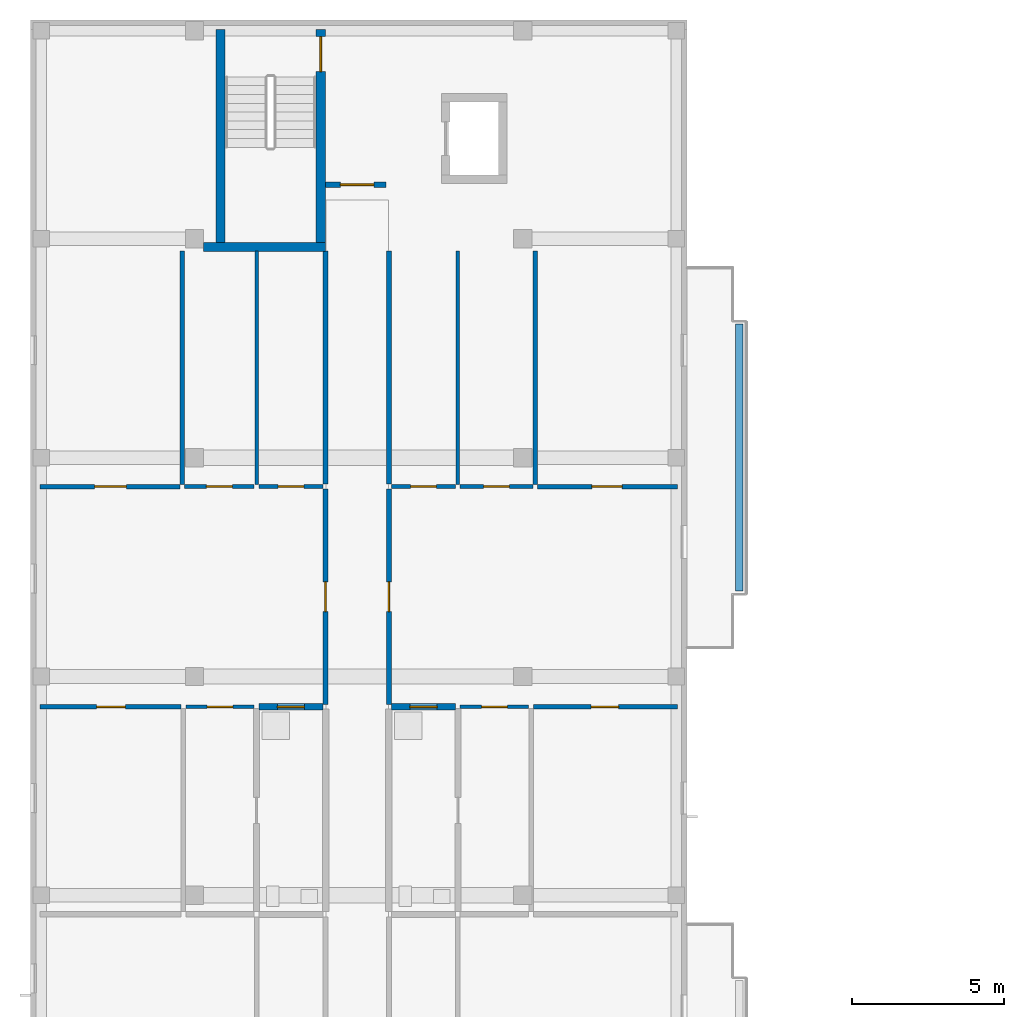
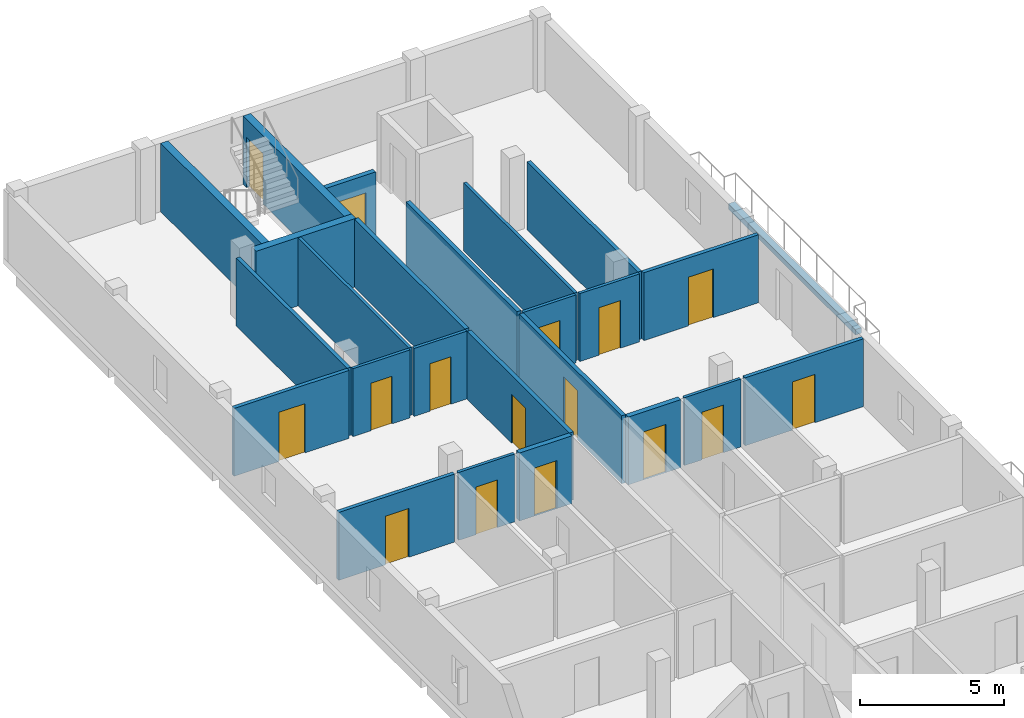
# One storey, part 18 of 41: 25 walls, 16 doors, 16 openings.
"""IFC4 building model written with IfcOpenShell, lengths in metres."""

import ifcopenshell
import ifcopenshell.guid

model = None  # the IFC model being written
_history = None  # IfcOwnerHistory: only IFC2X3 demands one
_inside = {}  # id of a spatial element -> (the spatial element, [elements in it])
_under = {}  # id of a project, library or spatial element -> (it, [spatial elements below it])
_declared = {}  # id of a project -> (the project, [libraries it declares])
_typed = {}  # id of a type object -> (the type object, [elements of that type])
_made_of = {}  # id of a material, layer set ... -> (it, [elements and type objects made of it])


def new_model(schema):
    """Start an empty IFC model of exactly this schema.

    Asked for "IFC4X3", IfcOpenShell would pick the latest addendum, in which some entities
    have other attributes; the version numbers below select the first issue.
    IFC2X3 requires an IfcOwnerHistory on every rooted entity: one is made here for all.
    """
    global model, _history
    if schema == "IFC4X3":
        model = ifcopenshell.file(schema_version=(4, 3, 0, 0))
    else:
        model = ifcopenshell.file(schema=schema)
    _inside.clear()
    _under.clear()
    _declared.clear()
    _typed.clear()
    _made_of.clear()
    _history = None
    if model.schema == "IFC2X3":
        org = make("IfcOrganization", Name="unknown")
        user = make(
            "IfcPersonAndOrganization",
            ThePerson=make("IfcPerson", FamilyName="unknown"),
            TheOrganization=org,
        )
        app = make(
            "IfcApplication",
            ApplicationDeveloper=org,
            Version="unknown",
            ApplicationFullName="unknown",
            ApplicationIdentifier="unknown",
        )
        _history = make(
            "IfcOwnerHistory",
            OwningUser=user,
            OwningApplication=app,
            ChangeAction="ADDED",
            CreationDate=0,
        )
    return model


def make(cls, **values):
    """One entity of the class cls with the attributes given. An attribute that is None is left unset."""
    return model.create_entity(
        cls, **{name: value for name, value in values.items() if value is not None}
    )


def rooted(cls, **values):
    """An entity with a GlobalId (a new one), such as an element, a storey or a relation."""
    return make(cls, GlobalId=ifcopenshell.guid.new(), OwnerHistory=_history, **values)


def si_unit(unit_type, name, prefix=None):
    """IfcSIUnit, for example si_unit("LENGTHUNIT", "METRE", prefix="MILLI")."""
    return make("IfcSIUnit", UnitType=unit_type, Prefix=prefix, Name=name)


def derived_unit(unit_type, elements):
    """IfcDerivedUnit: a product of units, each with its exponent."""
    return make(
        "IfcDerivedUnit",
        Elements=[
            make("IfcDerivedUnitElement", Unit=unit, Exponent=power)
            for unit, power in elements
        ],
        UnitType=unit_type,
    )


def assignment(units):
    """IfcUnitAssignment: the units of a project."""
    return None if units is None else make("IfcUnitAssignment", Units=units)


def point(xyz):
    """IfcCartesianPoint."""
    return None if xyz is None else make("IfcCartesianPoint", Coordinates=xyz)


def direction(xyz):
    """IfcDirection."""
    return None if xyz is None else make("IfcDirection", DirectionRatios=xyz)


def frame(location, z_axis=None, x_axis=None):
    """IfcAxis2Placement3D, a coordinate frame: its origin and axes. An axis left out is left unset."""
    return make(
        "IfcAxis2Placement3D",
        Location=point(location),
        Axis=direction(z_axis),
        RefDirection=direction(x_axis),
    )


def frame_2d(location, x_axis=None):
    """IfcAxis2Placement2D, a coordinate frame in the plane: its origin and x axis."""
    return make(
        "IfcAxis2Placement2D", Location=point(location), RefDirection=direction(x_axis)
    )


def origin():
    """The frame at (0, 0, 0) with its axes left unset."""
    return frame((0.0, 0.0, 0.0))


def place(relative_to, where):
    """IfcLocalPlacement: puts the frame where relative to a parent placement (None: the world)."""
    return make(
        "IfcLocalPlacement", PlacementRelTo=relative_to, RelativePlacement=where
    )


def context(
    kind, dimensions, precision=None, world=None, true_north=None, identifier=None
):
    """IfcGeometricRepresentationContext, for example the 3D "Model" context."""
    return make(
        "IfcGeometricRepresentationContext",
        ContextIdentifier=identifier,
        ContextType=kind,
        CoordinateSpaceDimension=dimensions,
        Precision=precision,
        WorldCoordinateSystem=world,
        TrueNorth=true_north,
    )


def subcontext(parent, identifier, kind, view, scale=None):
    """IfcGeometricRepresentationSubContext, for example "Body" below "Model"."""
    return make(
        "IfcGeometricRepresentationSubContext",
        ContextIdentifier=identifier,
        ContextType=kind,
        ParentContext=parent,
        TargetScale=scale,
        TargetView=view,
    )


def project(units=None, contexts=None):
    """IfcProject with its units and contexts."""
    return rooted(
        "IfcProject",
        Name="project",
        RepresentationContexts=contexts,
        UnitsInContext=assignment(units),
    )


def spatial(cls, under=None, at=None, **own):
    """A site, building, storey or space (cls), placed at a placement, below another one or the project."""
    s = rooted(cls, ObjectPlacement=at, **own)
    if under is not None:
        _under.setdefault(under.id(), (under, []))[1].append(s)
    return s


def profile(cls, at=None, kind="AREA", **sizes):
    """A parametric profile (cls). Its sizes go by their IFC names, for example OverallWidth=200.0."""
    return make(cls, ProfileType=kind, Position=at, **sizes)


def rectangle(**sizes):
    """IfcRectangleProfileDef."""
    return profile("IfcRectangleProfileDef", **sizes)


def extrude(swept, where, along, depth):
    """IfcExtrudedAreaSolid: the profile swept, set in the frame where, extruded along a direction by depth."""
    return make(
        "IfcExtrudedAreaSolid",
        SweptArea=swept,
        Position=where,
        ExtrudedDirection=direction(along),
        Depth=depth,
    )


def shape(context_of_items, identifier, shape_type, items):
    """IfcShapeRepresentation: the items that make up one representation, for example the "Body"."""
    return make(
        "IfcShapeRepresentation",
        ContextOfItems=context_of_items,
        RepresentationIdentifier=identifier,
        RepresentationType=shape_type,
        Items=items,
    )


def material(Name=None, Category=None):
    """IfcMaterial."""
    return make("IfcMaterial", Name=Name, Category=Category)


def layer(
    of_material, thickness, ventilated=None, Name=None, Category=None, Priority=None
):
    """IfcMaterialLayer: one layer of a wall or slab, of a material (None: an air gap)."""
    return make(
        "IfcMaterialLayer",
        Material=of_material,
        LayerThickness=thickness,
        IsVentilated=ventilated,
        Name=Name,
        Category=Category,
        Priority=Priority,
    )


def layer_set(layers, Name=None):
    """IfcMaterialLayerSet."""
    return make("IfcMaterialLayerSet", MaterialLayers=layers, LayerSetName=Name)


def made_of(thing, what):
    """Note that an element or type object is made of a material, layer set ...; save() writes the relation."""
    if what is not None:
        _made_of.setdefault(what.id(), (what, []))[1].append(thing)
    return thing


def type_object(cls, material=None, **own):
    """A type object (cls), such as IfcWallType, which elements share."""
    return made_of(rooted(cls, **own), material)


def element(
    cls,
    number,
    at=None,
    inside=None,
    cuts=None,
    type_object=None,
    material=None,
    context=None,
    identifier="Body",
    shape_type=None,
    held_by="IfcProductDefinitionShape",
    body=None,
    shapes=None,
    **own,
):
    """One element of the class cls, such as IfcWall. Its Tag is "e" and its number.

    at: its placement. inside: the storey or other place that contains it. cuts: it is an
    opening in that element (IfcRelVoidsElement). A single representation is given by context,
    identifier, shape_type and body (its items); several are given by shapes. held_by: the class
    of the entity that holds the representations. save() writes the other relations.
    """
    e = rooted(cls, Tag="e%d" % number, ObjectPlacement=at, **own)
    if body is not None:
        shapes = [shape(context, identifier, shape_type, body)]
    if shapes is not None:
        e.Representation = make(held_by, Representations=shapes)
    if inside is not None:
        _inside.setdefault(inside.id(), (inside, []))[1].append(e)
    if cuts is not None:
        rooted(
            "IfcRelVoidsElement", RelatingBuildingElement=cuts, RelatedOpeningElement=e
        )
    if type_object is not None:
        _typed.setdefault(type_object.id(), (type_object, []))[1].append(e)
    return made_of(e, material)


def fill(opening, filler):
    """IfcRelFillsElement: the door or window that sits in an opening."""
    return rooted(
        "IfcRelFillsElement",
        RelatingOpeningElement=opening,
        RelatedBuildingElement=filler,
    )


def aggregate(whole, parts):
    """IfcRelAggregates: a whole, such as a stair, and the parts it consists of."""
    return rooted("IfcRelAggregates", RelatingObject=whole, RelatedObjects=parts)


def save(model, path):
    """Write the relations noted so far, then the file.

    IfcRelAggregates (storeys below a building ...), IfcRelContainedInSpatialStructure (elements
    in a storey), IfcRelDefinesByType, IfcRelAssociatesMaterial and IfcRelDeclares: one each for
    every whole, place, type object, material and project.
    """
    for whole, parts in _under.values():
        aggregate(whole, parts)
    for where, things in _inside.values():
        rooted(
            "IfcRelContainedInSpatialStructure",
            RelatedElements=things,
            RelatingStructure=where,
        )
    for kind, things in _typed.values():
        rooted("IfcRelDefinesByType", RelatedObjects=things, RelatingType=kind)
    for what, things in _made_of.values():
        rooted("IfcRelAssociatesMaterial", RelatedObjects=things, RelatingMaterial=what)
    for by, libraries in _declared.values():
        rooted("IfcRelDeclares", RelatingContext=by, RelatedDefinitions=libraries)
    model.write(path)


model = new_model("IFC4")

# Units and contexts
model_context = context("Model", 3, precision=1e-05, world=origin(), true_north=direction((0.0, 1.0)))
body_context = subcontext(model_context, "Body", "Model", "MODEL_VIEW")
ifc_project = project(units=[si_unit("LENGTHUNIT", "METRE"), si_unit("AREAUNIT", "SQUARE_METRE"), si_unit("VOLUMEUNIT", "CUBIC_METRE"), si_unit("PLANEANGLEUNIT", "RADIAN"), si_unit("MASSUNIT", "GRAM", prefix="KILO"), derived_unit("THERMALTRANSMITTANCEUNIT", [(si_unit("MASSUNIT", "GRAM", prefix="KILO"), 1), (si_unit("TIMEUNIT", "SECOND"), -3), (si_unit("THERMODYNAMICTEMPERATUREUNIT", "KELVIN"), -1)])], contexts=[model_context])

# Site, building, storey
site_placement = place(None, origin())
site = spatial("IfcSite", under=ifc_project, at=site_placement, CompositionType="ELEMENT")
building_placement = place(site_placement, origin())
building = spatial("IfcBuilding", under=site, at=building_placement, Name="Ochrekiln Boulevard Commons", CompositionType="ELEMENT")
storey_placement = place(building_placement, frame((0.0, 0.0, 21.52490234375)))
storey = spatial("IfcBuildingStorey", under=building, at=storey_placement, Name="L06", CompositionType="ELEMENT", Elevation=21.52490234375)

# Wall, opening, door
ifc_material_1 = material(Name="Moisture-resistant cementitious tile backer wall")
ifc_layer_1 = layer(ifc_material_1, 0.199951171875)
ifc_layer_set_1 = layer_set([ifc_layer_1], Name="Moisture-resistant cementitious tile backer wall")
wall_type_1 = type_object("IfcWallType", Name="WL-PLM-200", PredefinedType="PLUMBINGWALL", material=ifc_layer_set_1)
wall_1_placement = place(storey_placement, frame((7.52001953125, 96.2041015625, 0.0), z_axis=(0.0, 0.0, 1.0), x_axis=(1.0, 0.0, 0.0)))
wall_1 = element("IfcWall", 1, at=wall_1_placement, inside=storey, type_object=wall_type_1, Name="L06 Interior Wall W-PW200", PredefinedType="PLUMBINGWALL", context=body_context, shape_type="SweptSolid", body=[
    extrude(rectangle(XDim=2.10791015625, YDim=0.199951171875, at=frame_2d((1.053955078125, 0.0))), origin(), (0.0, 0.0, 1.0), 2.8701171875),
])
opening_1_placement = place(wall_1_placement, frame((0.60498046875, 0.0, 0.0)))
opening_1 = element("IfcOpeningElement", 2, at=opening_1_placement, cuts=wall_1, Name="Opening D-L06-793", PredefinedType="OPENING", context=body_context, shape_type="SweptSolid", body=[
    extrude(rectangle(XDim=0.889892578125, YDim=2.030029296875, at=frame_2d((0.44482421875, 1.01513671875))), frame((0.0, 0.10986328125, 0.0), z_axis=(0.0, -1.0, 0.0), x_axis=(1.0, 0.0, 0.0)), (0.0, 0.0, 1.0), 0.219970703125),
])
ifc_material_2 = material(Name="Solid core architectural oak door leaf")
door_type_1 = type_object("IfcDoorType", Name="DR-INT-BTH-089", OperationType="NOTDEFINED", PredefinedType="DOOR", material=ifc_material_2)
door_1_placement = place(opening_1_placement, frame((0.889892578125, 0.0, 0.0), z_axis=(0.0, 0.0, 1.0), x_axis=(-1.0, 0.0, 0.0)))
door_1 = element("IfcDoor", 3, at=door_1_placement, inside=storey, type_object=door_type_1, Name="L06 Interior Door to Apartment Bathroom", OperationType="SINGLE_SWING_LEFT", OverallHeight=2.030029296875, OverallWidth=0.889892578125, PredefinedType="DOOR", context=body_context, shape_type="SweptSolid", body=[
    extrude(rectangle(XDim=0.889892578125, YDim=2.030029296875, at=frame_2d((0.44482421875, 1.01513671875))), frame((0.0, 0.02490234375, 0.0), z_axis=(0.0, -1.0, 0.0), x_axis=(1.0, 0.0, 0.0)), (0.0, 0.0, 1.0), 0.050048828125),
])
fill(opening_1, door_1)

wall_2_placement = place(storey_placement, frame((11.8720703125, 96.2041015625, 0.0), z_axis=(0.0, 0.0, 1.0), x_axis=(1.0, 0.0, 0.0)))
wall_2 = element("IfcWall", 4, at=wall_2_placement, inside=storey, type_object=wall_type_1, Name="L06 Interior Wall W-PW200", PredefinedType="PLUMBINGWALL", context=body_context, shape_type="SweptSolid", body=[
    extrude(rectangle(XDim=2.10791015625, YDim=0.199951171875, at=frame_2d((1.053955078125, 0.0))), origin(), (0.0, 0.0, 1.0), 2.8701171875),
])
opening_2_placement = place(wall_2_placement, frame((0.613037109375, 0.0, 0.0)))
opening_2 = element("IfcOpeningElement", 5, at=opening_2_placement, cuts=wall_2, Name="Opening D-L06-804", PredefinedType="OPENING", context=body_context, shape_type="SweptSolid", body=[
    extrude(rectangle(XDim=0.889892578125, YDim=2.030029296875, at=frame_2d((0.44482421875, 1.01513671875))), frame((0.0, 0.10986328125, 0.0), z_axis=(0.0, -1.0, 0.0), x_axis=(1.0, 0.0, 0.0)), (0.0, 0.0, 1.0), 0.219970703125),
])
door_2_placement = place(opening_2_placement, frame((0.889892578125, 0.0, 0.0), z_axis=(0.0, 0.0, 1.0), x_axis=(-1.0, 0.0, 0.0)))
door_2 = element("IfcDoor", 6, at=door_2_placement, inside=storey, type_object=door_type_1, Name="L06 Interior Door to Apartment Bathroom", OperationType="SINGLE_SWING_RIGHT", OverallHeight=2.030029296875, OverallWidth=0.889892578125, PredefinedType="DOOR", context=body_context, shape_type="SweptSolid", body=[
    extrude(rectangle(XDim=0.889892578125, YDim=2.030029296875, at=frame_2d((0.44482421875, 1.01513671875))), frame((0.0, 0.02490234375, 0.0), z_axis=(0.0, -1.0, 0.0), x_axis=(1.0, 0.0, 0.0)), (0.0, 0.0, 1.0), 0.050048828125),
])
fill(opening_2, door_2)

# Wall
ifc_material_3 = material(Name="Glazed architectural terracotta ASTM C1405", Category="masonry")
ifc_layer_2 = layer(ifc_material_3, 0.25)
ifc_layer_set_2 = layer_set([ifc_layer_2], Name="Glazed architectural terracotta ASTM C1405")
wall_type_2 = type_object("IfcWallType", Name="WL-PLN-250", PredefinedType="PARAPET", material=ifc_layer_set_2)
wall_3_placement = place(storey_placement, frame((23.320068359375, 100.010009765625, 0.0), z_axis=(0.0, 0.0, 1.0), x_axis=(0.0, 1.0, 0.0)))
element("IfcWall", 7, at=wall_3_placement, inside=storey, type_object=wall_type_2, Name="Block A L06 Balcony Terracotta Planter Box 2", PredefinedType="PARAPET", context=body_context, shape_type="SweptSolid", body=[
    extrude(rectangle(XDim=8.780029296875, YDim=0.25, at=frame_2d((4.39013671875, 0.0))), origin(), (0.0, 0.0, 1.0), 0.22998046875),
])

# Wall, opening, door
ifc_material_4 = material(Name="Fire-rated Type X gypsum board on steel studs", Category="steel")
ifc_layer_3 = layer(ifc_material_4, 0.1650390625)
ifc_layer_set_3 = layer_set([ifc_layer_3], Name="Fire-rated Type X gypsum board on steel studs")
wall_type_3 = type_object("IfcWallType", Name="WL-PT-CORR-165", PredefinedType="PARTITIONING", material=ifc_layer_set_3)
wall_4_placement = place(storey_placement, frame((9.7099609375, 96.283935546875, 0.0), z_axis=(0.0, 0.0, 1.0), x_axis=(0.0, 1.0, 0.0)))
wall_4 = element("IfcWall", 8, at=wall_4_placement, inside=storey, type_object=wall_type_3, Name="L06 Interior Wall W-PC165", PredefinedType="PARTITIONING", context=body_context, shape_type="SweptSolid", body=[
    extrude(rectangle(XDim=7.086181640625, YDim=0.1650390625, at=frame_2d((3.54296875, 0.0))), origin(), (0.0, 0.0, 1.0), 2.8701171875),
])
opening_3_placement = place(wall_4_placement, frame((3.052978515625, 0.0, 0.0)))
opening_3 = element("IfcOpeningElement", 9, at=opening_3_placement, cuts=wall_4, Name="Opening D-L06-786", PredefinedType="OPENING", context=body_context, shape_type="SweptSolid", body=[
    extrude(rectangle(XDim=0.97998046875, YDim=2.080078125, at=frame_2d((0.489990234375, 1.0400390625))), frame((0.0, 0.092529296875, 0.0), z_axis=(0.0, -1.0, 0.0), x_axis=(1.0, 0.0, 0.0)), (0.0, 0.0, 1.0), 0.18505859375),
])
door_type_2 = type_object("IfcDoorType", Name="DR-APT-60", OperationType="NOTDEFINED", PredefinedType="DOOR", material=ifc_material_2)
door_3_placement = place(opening_3_placement, origin())
door_3 = element("IfcDoor", 10, at=door_3_placement, inside=storey, type_object=door_type_2, Name="L06 Interior Door to Two-Bedroom Apartment Living Room", OperationType="SINGLE_SWING_RIGHT", OverallHeight=2.080078125, OverallWidth=0.97998046875, PredefinedType="DOOR", context=body_context, shape_type="SweptSolid", body=[
    extrude(rectangle(XDim=0.97998046875, YDim=2.080078125, at=frame_2d((0.489990234375, 1.0400390625))), frame((0.0, 0.02490234375, 0.0), z_axis=(0.0, -1.0, 0.0), x_axis=(1.0, 0.0, 0.0)), (0.0, 0.0, 1.0), 0.050048828125),
])
fill(opening_3, door_3)

# Wall
wall_5_placement = place(storey_placement, frame((9.7099609375, 103.530029296875, 0.0), z_axis=(0.0, 0.0, 1.0), x_axis=(0.0, 1.0, 0.0)))
element("IfcWall", 11, at=wall_5_placement, inside=storey, type_object=wall_type_3, Name="L06 Interior Wall W-PC165", PredefinedType="PARTITIONING", context=body_context, shape_type="SweptSolid", body=[
    extrude(rectangle(XDim=7.669921875, YDim=0.1650390625, at=frame_2d((3.8349609375, 0.0))), origin(), (0.0, 0.0, 1.0), 2.8701171875),
])

# Wall, opening, door
wall_6_placement = place(storey_placement, frame((11.7900390625, 96.283935546875, 0.0), z_axis=(0.0, 0.0, 1.0), x_axis=(0.0, 1.0, 0.0)))
wall_6 = element("IfcWall", 12, at=wall_6_placement, inside=storey, type_object=wall_type_3, Name="L06 Interior Wall W-PC165", PredefinedType="PARTITIONING", context=body_context, shape_type="SweptSolid", body=[
    extrude(rectangle(XDim=7.086181640625, YDim=0.1650390625, at=frame_2d((3.54296875, 0.0))), origin(), (0.0, 0.0, 1.0), 2.8701171875),
])
opening_4_placement = place(wall_6_placement, frame((3.052978515625, 0.0, 0.0)))
opening_4 = element("IfcOpeningElement", 13, at=opening_4_placement, cuts=wall_6, Name="Opening D-L06-788", PredefinedType="OPENING", context=body_context, shape_type="SweptSolid", body=[
    extrude(rectangle(XDim=0.97998046875, YDim=2.080078125, at=frame_2d((0.489990234375, 1.0400390625))), frame((0.0, 0.092529296875, 0.0), z_axis=(0.0, -1.0, 0.0), x_axis=(1.0, 0.0, 0.0)), (0.0, 0.0, 1.0), 0.18505859375),
])
door_4_placement = place(opening_4_placement, frame((0.97998046875, 0.0, 0.0), z_axis=(0.0, 0.0, 1.0), x_axis=(-1.0, 0.0, 0.0)))
door_4 = element("IfcDoor", 14, at=door_4_placement, inside=storey, type_object=door_type_2, Name="L06 Interior Door to Two-Bedroom Apartment Living Room", OperationType="SINGLE_SWING_RIGHT", OverallHeight=2.080078125, OverallWidth=0.97998046875, PredefinedType="DOOR", context=body_context, shape_type="SweptSolid", body=[
    extrude(rectangle(XDim=0.97998046875, YDim=2.080078125, at=frame_2d((0.489990234375, 1.0400390625))), frame((0.0, 0.02490234375, 0.0), z_axis=(0.0, -1.0, 0.0), x_axis=(1.0, 0.0, 0.0)), (0.0, 0.0, 1.0), 0.050048828125),
])
fill(opening_4, door_4)

# Wall
wall_7_placement = place(storey_placement, frame((11.7900390625, 103.530029296875, 0.0), z_axis=(0.0, 0.0, 1.0), x_axis=(0.0, 1.0, 0.0)))
element("IfcWall", 15, at=wall_7_placement, inside=storey, type_object=wall_type_3, Name="L06 Interior Wall W-PC165", PredefinedType="PARTITIONING", context=body_context, shape_type="SweptSolid", body=[
    extrude(rectangle(XDim=7.669921875, YDim=0.1650390625, at=frame_2d((3.8349609375, 0.0))), origin(), (0.0, 0.0, 1.0), 2.8701171875),
])

# Wall, opening, door
ifc_layer_4 = layer(ifc_material_4, 0.18994140625)
ifc_layer_set_4 = layer_set([ifc_layer_4], Name="Fire-rated Type X gypsum board on steel studs")
wall_type_4 = type_object("IfcWallType", Name="WL-PT-LBY-190", PredefinedType="PARTITIONING", material=ifc_layer_set_4)
wall_8_placement = place(storey_placement, frame((9.699951171875, 113.3798828125, 0.0), z_axis=(0.0, 0.0, 1.0), x_axis=(1.0, 0.0, 0.0)))
wall_8 = element("IfcWall", 16, at=wall_8_placement, inside=storey, type_object=wall_type_4, Name="L06 Interior Wall W-PL190", PredefinedType="PARTITIONING", context=body_context, shape_type="SweptSolid", body=[
    extrude(rectangle(XDim=2.0, YDim=0.18994140625, at=frame_2d((1.0, 0.0))), origin(), (0.0, 0.0, 1.0), 2.8701171875),
])
opening_5_placement = place(wall_8_placement, frame((0.5, 0.0, 0.0)))
opening_5 = element("IfcOpeningElement", 17, at=opening_5_placement, cuts=wall_8, Name="Opening D-L06-783", PredefinedType="OPENING", context=body_context, shape_type="SweptSolid", body=[
    extrude(rectangle(XDim=1.10009765625, YDim=2.1201171875, at=frame_2d((0.550048828125, 1.06005859375))), frame((0.0, 0.10498046875, 0.0), z_axis=(0.0, -1.0, 0.0), x_axis=(1.0, 0.0, 0.0)), (0.0, 0.0, 1.0), 0.2099609375),
])
ifc_material_5 = material(Name="Hollow metal fire-rated steel door assembly", Category="steel")
door_type_3 = type_object("IfcDoorType", Name="DR-LOBBY-60", OperationType="NOTDEFINED", PredefinedType="DOOR", material=ifc_material_5)
door_5_placement = place(opening_5_placement, origin())
door_5 = element("IfcDoor", 18, at=door_5_placement, inside=storey, type_object=door_type_3, Name="L06 Interior Door to Fire Service Access Elevator Lobby", OperationType="SINGLE_SWING_LEFT", OverallHeight=2.1201171875, OverallWidth=1.10009765625, PredefinedType="DOOR", context=body_context, shape_type="SweptSolid", body=[
    extrude(rectangle(XDim=1.10009765625, YDim=2.1201171875, at=frame_2d((0.550048828125, 1.06005859375))), frame((0.0, 0.02490234375, 0.0), z_axis=(0.0, -1.0, 0.0), x_axis=(1.0, 0.0, 0.0)), (0.0, 0.0, 1.0), 0.050048828125),
])
fill(opening_5, door_5)

ifc_layer_5 = layer(ifc_material_4, 0.1201171875)
ifc_layer_set_5 = layer_set([ifc_layer_5], Name="Fire-rated Type X gypsum board on steel studs")
wall_type_5 = type_object("IfcWallType", Name="WL-PT-LGT-120", PredefinedType="PARTITIONING", material=ifc_layer_set_5)
wall_9_placement = place(storey_placement, frame((7.52001953125, 103.449951171875, 0.0), z_axis=(0.0, 0.0, 1.0), x_axis=(1.0, 0.0, 0.0)))
wall_9 = element("IfcWall", 19, at=wall_9_placement, inside=storey, type_object=wall_type_5, Name="L06 Interior Wall W-PL120", PredefinedType="PARTITIONING", context=body_context, shape_type="SweptSolid", body=[
    extrude(rectangle(XDim=2.10791015625, YDim=0.1201171875, at=frame_2d((1.053955078125, 0.0))), origin(), (0.0, 0.0, 1.0), 2.8701171875),
])
opening_6_placement = place(wall_9_placement, frame((0.625, 0.0, 0.0)))
opening_6 = element("IfcOpeningElement", 20, at=opening_6_placement, cuts=wall_9, Name="Opening D-L06-794", PredefinedType="OPENING", context=body_context, shape_type="SweptSolid", body=[
    extrude(rectangle(XDim=0.85009765625, YDim=2.010009765625, at=frame_2d((0.425048828125, 1.0048828125))), frame((0.0, 0.070068359375, 0.0), z_axis=(0.0, -1.0, 0.0), x_axis=(1.0, 0.0, 0.0)), (0.0, 0.0, 1.0), 0.14013671875),
])
door_type_4 = type_object("IfcDoorType", Name="DR-INT-KIT-085", OperationType="NOTDEFINED", PredefinedType="DOOR", material=ifc_material_2)
door_6_placement = place(opening_6_placement, origin())
door_6 = element("IfcDoor", 21, at=door_6_placement, inside=storey, type_object=door_type_4, Name="L06 Interior Door to Apartment Kitchen", OperationType="SINGLE_SWING_RIGHT", OverallHeight=2.010009765625, OverallWidth=0.85009765625, PredefinedType="DOOR", context=body_context, shape_type="SweptSolid", body=[
    extrude(rectangle(XDim=0.85009765625, YDim=2.010009765625, at=frame_2d((0.425048828125, 1.0048828125))), frame((0.0, 0.02490234375, 0.0), z_axis=(0.0, -1.0, 0.0), x_axis=(1.0, 0.0, 0.0)), (0.0, 0.0, 1.0), 0.050048828125),
])
fill(opening_6, door_6)

wall_10_placement = place(storey_placement, frame((5.110107421875, 96.2041015625, 0.0), z_axis=(0.0, 0.0, 1.0), x_axis=(1.0, 0.0, 0.0)))
wall_10 = element("IfcWall", 22, at=wall_10_placement, inside=storey, type_object=wall_type_5, Name="L06 Interior Wall W-PL120", PredefinedType="PARTITIONING", context=body_context, shape_type="SweptSolid", body=[
    extrude(rectangle(XDim=2.25, YDim=0.1201171875, at=frame_2d((1.125, 0.0))), origin(), (0.0, 0.0, 1.0), 2.8701171875),
])
opening_7_placement = place(wall_10_placement, frame((0.699951171875, 0.0, 0.0)))
opening_7 = element("IfcOpeningElement", 23, at=opening_7_placement, cuts=wall_10, Name="Opening D-L06-796", PredefinedType="OPENING", context=body_context, shape_type="SweptSolid", body=[
    extrude(rectangle(XDim=0.85009765625, YDim=2.010009765625, at=frame_2d((0.425048828125, 1.0048828125))), frame((0.0, 0.070068359375, 0.0), z_axis=(0.0, -1.0, 0.0), x_axis=(1.0, 0.0, 0.0)), (0.0, 0.0, 1.0), 0.14013671875),
])
door_7_placement = place(opening_7_placement, frame((0.85009765625, 0.0, 0.0), z_axis=(0.0, 0.0, 1.0), x_axis=(-1.0, 0.0, 0.0)))
door_7 = element("IfcDoor", 24, at=door_7_placement, inside=storey, type_object=door_type_4, Name="L06 Interior Door to Apartment Walk-In Wardrobe", OperationType="SINGLE_SWING_RIGHT", OverallHeight=2.010009765625, OverallWidth=0.85009765625, PredefinedType="DOOR", context=body_context, shape_type="SweptSolid", body=[
    extrude(rectangle(XDim=0.85009765625, YDim=2.010009765625, at=frame_2d((0.425048828125, 1.0048828125))), frame((0.0, 0.02490234375, 0.0), z_axis=(0.0, -1.0, 0.0), x_axis=(1.0, 0.0, 0.0)), (0.0, 0.0, 1.0), 0.050048828125),
])
fill(opening_7, door_7)

wall_11_placement = place(storey_placement, frame((5.072998046875, 103.449951171875, 0.0), z_axis=(0.0, 0.0, 1.0), x_axis=(1.0, 0.0, 0.0)))
wall_11 = element("IfcWall", 25, at=wall_11_placement, inside=storey, type_object=wall_type_5, Name="L06 Interior Wall W-PL120", PredefinedType="PARTITIONING", context=body_context, shape_type="SweptSolid", body=[
    extrude(rectangle(XDim=2.287109375, YDim=0.1201171875, at=frame_2d((1.1435546875, 0.0))), origin(), (0.0, 0.0, 1.0), 2.8701171875),
])
opening_8_placement = place(wall_11_placement, frame((0.718017578125, 0.0, 0.0)))
opening_8 = element("IfcOpeningElement", 26, at=opening_8_placement, cuts=wall_11, Name="Opening D-L06-798", PredefinedType="OPENING", context=body_context, shape_type="SweptSolid", body=[
    extrude(rectangle(XDim=0.85009765625, YDim=2.010009765625, at=frame_2d((0.425048828125, 1.0048828125))), frame((0.0, 0.070068359375, 0.0), z_axis=(0.0, -1.0, 0.0), x_axis=(1.0, 0.0, 0.0)), (0.0, 0.0, 1.0), 0.14013671875),
])
door_8_placement = place(opening_8_placement, origin())
door_8 = element("IfcDoor", 27, at=door_8_placement, inside=storey, type_object=door_type_4, Name="L06 Interior Door to Apartment Walk-In Wardrobe", OperationType="SINGLE_SWING_RIGHT", OverallHeight=2.010009765625, OverallWidth=0.85009765625, PredefinedType="DOOR", context=body_context, shape_type="SweptSolid", body=[
    extrude(rectangle(XDim=0.85009765625, YDim=2.010009765625, at=frame_2d((0.425048828125, 1.0048828125))), frame((0.0, 0.02490234375, 0.0), z_axis=(0.0, -1.0, 0.0), x_axis=(1.0, 0.0, 0.0)), (0.0, 0.0, 1.0), 0.050048828125),
])
fill(opening_8, door_8)

# Wall
wall_12_placement = place(storey_placement, frame((7.43994140625, 103.510009765625, 0.0), z_axis=(0.0, 0.0, 1.0), x_axis=(0.0, 1.0, 0.0)))
element("IfcWall", 28, at=wall_12_placement, inside=storey, type_object=wall_type_5, Name="L06 Interior Wall W-PL120", PredefinedType="PARTITIONING", context=body_context, shape_type="SweptSolid", body=[
    extrude(rectangle(XDim=7.68994140625, YDim=0.1201171875, at=frame_2d((3.844970703125, 0.0))), origin(), (0.0, 0.0, 1.0), 2.8701171875),
])

# Wall, opening, door
wall_13_placement = place(storey_placement, frame((11.8720703125, 103.449951171875, 0.0), z_axis=(0.0, 0.0, 1.0), x_axis=(1.0, 0.0, 0.0)))
wall_13 = element("IfcWall", 29, at=wall_13_placement, inside=storey, type_object=wall_type_5, Name="L06 Interior Wall W-PL120", PredefinedType="PARTITIONING", context=body_context, shape_type="SweptSolid", body=[
    extrude(rectangle(XDim=2.10791015625, YDim=0.1201171875, at=frame_2d((1.053955078125, 0.0))), origin(), (0.0, 0.0, 1.0), 2.8701171875),
])
opening_9_placement = place(wall_13_placement, frame((0.633056640625, 0.0, 0.0)))
opening_9 = element("IfcOpeningElement", 30, at=opening_9_placement, cuts=wall_13, Name="Opening D-L06-805", PredefinedType="OPENING", context=body_context, shape_type="SweptSolid", body=[
    extrude(rectangle(XDim=0.85009765625, YDim=2.010009765625, at=frame_2d((0.425048828125, 1.0048828125))), frame((0.0, 0.070068359375, 0.0), z_axis=(0.0, -1.0, 0.0), x_axis=(1.0, 0.0, 0.0)), (0.0, 0.0, 1.0), 0.14013671875),
])
door_9_placement = place(opening_9_placement, origin())
door_9 = element("IfcDoor", 31, at=door_9_placement, inside=storey, type_object=door_type_4, Name="L06 Interior Door to Apartment Kitchen", OperationType="SINGLE_SWING_LEFT", OverallHeight=2.010009765625, OverallWidth=0.85009765625, PredefinedType="DOOR", context=body_context, shape_type="SweptSolid", body=[
    extrude(rectangle(XDim=0.85009765625, YDim=2.010009765625, at=frame_2d((0.425048828125, 1.0048828125))), frame((0.0, 0.02490234375, 0.0), z_axis=(0.0, -1.0, 0.0), x_axis=(1.0, 0.0, 0.0)), (0.0, 0.0, 1.0), 0.050048828125),
])
fill(opening_9, door_9)

wall_14_placement = place(storey_placement, frame((14.139892578125, 96.2041015625, 0.0), z_axis=(0.0, 0.0, 1.0), x_axis=(1.0, 0.0, 0.0)))
wall_14 = element("IfcWall", 32, at=wall_14_placement, inside=storey, type_object=wall_type_5, Name="L06 Interior Wall W-PL120", PredefinedType="PARTITIONING", context=body_context, shape_type="SweptSolid", body=[
    extrude(rectangle(XDim=2.25, YDim=0.1201171875, at=frame_2d((1.125, 0.0))), origin(), (0.0, 0.0, 1.0), 2.8701171875),
])
opening_10_placement = place(wall_14_placement, frame((0.699951171875, 0.0, 0.0)))
opening_10 = element("IfcOpeningElement", 33, at=opening_10_placement, cuts=wall_14, Name="Opening D-L06-807", PredefinedType="OPENING", context=body_context, shape_type="SweptSolid", body=[
    extrude(rectangle(XDim=0.85009765625, YDim=2.010009765625, at=frame_2d((0.425048828125, 1.0048828125))), frame((0.0, 0.070068359375, 0.0), z_axis=(0.0, -1.0, 0.0), x_axis=(1.0, 0.0, 0.0)), (0.0, 0.0, 1.0), 0.14013671875),
])
door_10_placement = place(opening_10_placement, frame((0.85009765625, 0.0, 0.0), z_axis=(0.0, 0.0, 1.0), x_axis=(-1.0, 0.0, 0.0)))
door_10 = element("IfcDoor", 34, at=door_10_placement, inside=storey, type_object=door_type_4, Name="L06 Interior Door to Apartment Walk-In Wardrobe", OperationType="SINGLE_SWING_LEFT", OverallHeight=2.010009765625, OverallWidth=0.85009765625, PredefinedType="DOOR", context=body_context, shape_type="SweptSolid", body=[
    extrude(rectangle(XDim=0.85009765625, YDim=2.010009765625, at=frame_2d((0.425048828125, 1.0048828125))), frame((0.0, 0.02490234375, 0.0), z_axis=(0.0, -1.0, 0.0), x_axis=(1.0, 0.0, 0.0)), (0.0, 0.0, 1.0), 0.050048828125),
])
fill(opening_10, door_10)

wall_15_placement = place(storey_placement, frame((14.139892578125, 103.449951171875, 0.0), z_axis=(0.0, 0.0, 1.0), x_axis=(1.0, 0.0, 0.0)))
wall_15 = element("IfcWall", 35, at=wall_15_placement, inside=storey, type_object=wall_type_5, Name="L06 Interior Wall W-PL120", PredefinedType="PARTITIONING", context=body_context, shape_type="SweptSolid", body=[
    extrude(rectangle(XDim=2.38720703125, YDim=0.1201171875, at=frame_2d((1.193603515625, 0.0))), origin(), (0.0, 0.0, 1.0), 2.8701171875),
])
opening_11_placement = place(wall_15_placement, frame((0.76904296875, 0.0, 0.0)))
opening_11 = element("IfcOpeningElement", 36, at=opening_11_placement, cuts=wall_15, Name="Opening D-L06-809", PredefinedType="OPENING", context=body_context, shape_type="SweptSolid", body=[
    extrude(rectangle(XDim=0.85009765625, YDim=2.010009765625, at=frame_2d((0.425048828125, 1.0048828125))), frame((0.0, 0.070068359375, 0.0), z_axis=(0.0, -1.0, 0.0), x_axis=(1.0, 0.0, 0.0)), (0.0, 0.0, 1.0), 0.14013671875),
])
door_11_placement = place(opening_11_placement, origin())
door_11 = element("IfcDoor", 37, at=door_11_placement, inside=storey, type_object=door_type_4, Name="L06 Interior Door to Apartment Walk-In Wardrobe", OperationType="SINGLE_SWING_LEFT", OverallHeight=2.010009765625, OverallWidth=0.85009765625, PredefinedType="DOOR", context=body_context, shape_type="SweptSolid", body=[
    extrude(rectangle(XDim=0.85009765625, YDim=2.010009765625, at=frame_2d((0.425048828125, 1.0048828125))), frame((0.0, 0.02490234375, 0.0), z_axis=(0.0, -1.0, 0.0), x_axis=(1.0, 0.0, 0.0)), (0.0, 0.0, 1.0), 0.050048828125),
])
fill(opening_11, door_11)

# Wall
wall_16_placement = place(storey_placement, frame((14.06005859375, 103.510009765625, 0.0), z_axis=(0.0, 0.0, 1.0), x_axis=(0.0, 1.0, 0.0)))
element("IfcWall", 38, at=wall_16_placement, inside=storey, type_object=wall_type_5, Name="L06 Interior Wall W-PL120", PredefinedType="PARTITIONING", context=body_context, shape_type="SweptSolid", body=[
    extrude(rectangle(XDim=7.68994140625, YDim=0.1201171875, at=frame_2d((3.844970703125, 0.0))), origin(), (0.0, 0.0, 1.0), 2.8701171875),
])

# Wall, opening, door
ifc_layer_6 = layer(ifc_material_4, 0.14990234375)
ifc_layer_set_6 = layer_set([ifc_layer_6], Name="Fire-rated Type X gypsum board on steel studs")
wall_type_6 = type_object("IfcWallType", Name="WL-PT-STD-150", PredefinedType="PARTITIONING", material=ifc_layer_set_6)
wall_17_placement = place(storey_placement, frame((0.320068359375, 96.2041015625, 0.0), z_axis=(0.0, 0.0, 1.0), x_axis=(1.0, 0.0, 0.0)))
wall_17 = element("IfcWall", 39, at=wall_17_placement, inside=storey, type_object=wall_type_6, Name="L06 Interior Wall W-PS150", PredefinedType="PARTITIONING", context=body_context, shape_type="SweptSolid", body=[
    extrude(rectangle(XDim=4.6298828125, YDim=0.14990234375, at=frame_2d((2.31494140625, 0.0))), origin(), (0.0, 0.0, 1.0), 2.8701171875),
])
opening_12_placement = place(wall_17_placement, frame((1.860107421875, 0.0, 0.0)))
opening_12 = element("IfcOpeningElement", 40, at=opening_12_placement, cuts=wall_17, Name="Opening D-L06-795", PredefinedType="OPENING", context=body_context, shape_type="SweptSolid", body=[
    extrude(rectangle(XDim=0.93994140625, YDim=2.06005859375, at=frame_2d((0.469970703125, 1.030029296875))), frame((0.0, 0.0849609375, 0.0), z_axis=(0.0, -1.0, 0.0), x_axis=(1.0, 0.0, 0.0)), (0.0, 0.0, 1.0), 0.169921875),
])
door_type_5 = type_object("IfcDoorType", Name="DR-INT-BED-094", OperationType="NOTDEFINED", PredefinedType="DOOR", material=ifc_material_2)
door_12_placement = place(opening_12_placement, frame((0.93994140625, 0.0, 0.0), z_axis=(0.0, 0.0, 1.0), x_axis=(-1.0, 0.0, 0.0)))
door_12 = element("IfcDoor", 41, at=door_12_placement, inside=storey, type_object=door_type_5, Name="L06 Interior Door to Primary Apartment Bedroom", OperationType="SINGLE_SWING_LEFT", OverallHeight=2.06005859375, OverallWidth=0.93994140625, PredefinedType="DOOR", context=body_context, shape_type="SweptSolid", body=[
    extrude(rectangle(XDim=0.93994140625, YDim=2.06005859375, at=frame_2d((0.469970703125, 1.030029296875))), frame((0.0, 0.02490234375, 0.0), z_axis=(0.0, -1.0, 0.0), x_axis=(1.0, 0.0, 0.0)), (0.0, 0.0, 1.0), 0.050048828125),
])
fill(opening_12, door_12)

wall_18_placement = place(storey_placement, frame((0.320068359375, 103.449951171875, 0.0), z_axis=(0.0, 0.0, 1.0), x_axis=(1.0, 0.0, 0.0)))
wall_18 = element("IfcWall", 42, at=wall_18_placement, inside=storey, type_object=wall_type_6, Name="L06 Interior Wall W-PS150", PredefinedType="PARTITIONING", context=body_context, shape_type="SweptSolid", body=[
    extrude(rectangle(XDim=4.593017578125, YDim=0.14990234375, at=frame_2d((2.29638671875, 0.0))), origin(), (0.0, 0.0, 1.0), 2.8701171875),
])
opening_13_placement = place(wall_18_placement, frame((1.7919921875, 0.0, 0.0)))
opening_13 = element("IfcOpeningElement", 43, at=opening_13_placement, cuts=wall_18, Name="Opening D-L06-797", PredefinedType="OPENING", context=body_context, shape_type="SweptSolid", body=[
    extrude(rectangle(XDim=1.0400390625, YDim=2.080078125, at=frame_2d((0.52001953125, 1.0400390625))), frame((0.0, 0.0849609375, 0.0), z_axis=(0.0, -1.0, 0.0), x_axis=(1.0, 0.0, 0.0)), (0.0, 0.0, 1.0), 0.169921875),
])
door_type_6 = type_object("IfcDoorType", Name="DR-INT-BED-104", OperationType="NOTDEFINED", PredefinedType="DOOR", material=ifc_material_2)
door_13_placement = place(opening_13_placement, origin())
door_13 = element("IfcDoor", 44, at=door_13_placement, inside=storey, type_object=door_type_6, Name="L06 Interior Door to Secondary Apartment Bedroom", OperationType="SINGLE_SWING_LEFT", OverallHeight=2.080078125, OverallWidth=1.0400390625, PredefinedType="DOOR", context=body_context, shape_type="SweptSolid", body=[
    extrude(rectangle(XDim=1.0400390625, YDim=2.080078125, at=frame_2d((0.52001953125, 1.0400390625))), frame((0.0, 0.02490234375, 0.0), z_axis=(0.0, -1.0, 0.0), x_axis=(1.0, 0.0, 0.0)), (0.0, 0.0, 1.0), 0.050048828125),
])
fill(opening_13, door_13)

# Wall
wall_19_placement = place(storey_placement, frame((4.992919921875, 103.510009765625, 0.0), z_axis=(0.0, 0.0, 1.0), x_axis=(0.0, 1.0, 0.0)))
element("IfcWall", 45, at=wall_19_placement, inside=storey, type_object=wall_type_6, Name="L06 Interior Wall W-PS150", PredefinedType="PARTITIONING", context=body_context, shape_type="SweptSolid", body=[
    extrude(rectangle(XDim=7.68994140625, YDim=0.14990234375, at=frame_2d((3.844970703125, 0.0))), origin(), (0.0, 0.0, 1.0), 2.8701171875),
])

# Wall, opening, door
wall_20_placement = place(storey_placement, frame((16.550048828125, 96.2041015625, 0.0), z_axis=(0.0, 0.0, 1.0), x_axis=(1.0, 0.0, 0.0)))
wall_20 = element("IfcWall", 46, at=wall_20_placement, inside=storey, type_object=wall_type_6, Name="L06 Interior Wall W-PS150", PredefinedType="PARTITIONING", context=body_context, shape_type="SweptSolid", body=[
    extrude(rectangle(XDim=4.72998046875, YDim=0.14990234375, at=frame_2d((2.364990234375, 0.0))), origin(), (0.0, 0.0, 1.0), 2.8701171875),
])
opening_14_placement = place(wall_20_placement, frame((1.89990234375, 0.0, 0.0)))
opening_14 = element("IfcOpeningElement", 47, at=opening_14_placement, cuts=wall_20, Name="Opening D-L06-806", PredefinedType="OPENING", context=body_context, shape_type="SweptSolid", body=[
    extrude(rectangle(XDim=0.89990234375, YDim=2.0400390625, at=frame_2d((0.449951171875, 1.02001953125))), frame((0.0, 0.0849609375, 0.0), z_axis=(0.0, -1.0, 0.0), x_axis=(1.0, 0.0, 0.0)), (0.0, 0.0, 1.0), 0.169921875),
])
door_type_7 = type_object("IfcDoorType", Name="DR-INT-BED-090", OperationType="NOTDEFINED", PredefinedType="DOOR", material=ifc_material_2)
door_14_placement = place(opening_14_placement, frame((0.89990234375, 0.0, 0.0), z_axis=(0.0, 0.0, 1.0), x_axis=(-1.0, 0.0, 0.0)))
door_14 = element("IfcDoor", 48, at=door_14_placement, inside=storey, type_object=door_type_7, Name="L06 Interior Door to Primary Apartment Bedroom", OperationType="SINGLE_SWING_RIGHT", OverallHeight=2.0400390625, OverallWidth=0.89990234375, PredefinedType="DOOR", context=body_context, shape_type="SweptSolid", body=[
    extrude(rectangle(XDim=0.89990234375, YDim=2.0400390625, at=frame_2d((0.449951171875, 1.02001953125))), frame((0.0, 0.02490234375, 0.0), z_axis=(0.0, -1.0, 0.0), x_axis=(1.0, 0.0, 0.0)), (0.0, 0.0, 1.0), 0.050048828125),
])
fill(opening_14, door_14)

wall_21_placement = place(storey_placement, frame((16.68701171875, 103.449951171875, 0.0), z_axis=(0.0, 0.0, 1.0), x_axis=(1.0, 0.0, 0.0)))
wall_21 = element("IfcWall", 49, at=wall_21_placement, inside=storey, type_object=wall_type_6, Name="L06 Interior Wall W-PS150", PredefinedType="PARTITIONING", context=body_context, shape_type="SweptSolid", body=[
    extrude(rectangle(XDim=4.593017578125, YDim=0.14990234375, at=frame_2d((2.29638671875, 0.0))), origin(), (0.0, 0.0, 1.0), 2.8701171875),
])
opening_15_placement = place(wall_21_placement, frame((1.781005859375, 0.0, 0.0)))
opening_15 = element("IfcOpeningElement", 50, at=opening_15_placement, cuts=wall_21, Name="Opening D-L06-808", PredefinedType="OPENING", context=body_context, shape_type="SweptSolid", body=[
    extrude(rectangle(XDim=1.0, YDim=2.06005859375, at=frame_2d((0.5, 1.030029296875))), frame((0.0, 0.0849609375, 0.0), z_axis=(0.0, -1.0, 0.0), x_axis=(1.0, 0.0, 0.0)), (0.0, 0.0, 1.0), 0.169921875),
])
door_type_8 = type_object("IfcDoorType", Name="DR-INT-BED-100", OperationType="NOTDEFINED", PredefinedType="DOOR", material=ifc_material_2)
door_15_placement = place(opening_15_placement, origin())
door_15 = element("IfcDoor", 51, at=door_15_placement, inside=storey, type_object=door_type_8, Name="L06 Interior Door to Secondary Apartment Bedroom", OperationType="SINGLE_SWING_RIGHT", OverallHeight=2.06005859375, OverallWidth=1.0, PredefinedType="DOOR", context=body_context, shape_type="SweptSolid", body=[
    extrude(rectangle(XDim=1.0, YDim=2.06005859375, at=frame_2d((0.5, 1.030029296875))), frame((0.0, 0.02490234375, 0.0), z_axis=(0.0, -1.0, 0.0), x_axis=(1.0, 0.0, 0.0)), (0.0, 0.0, 1.0), 0.050048828125),
])
fill(opening_15, door_15)

# Walls
wall_22_placement = place(storey_placement, frame((16.60693359375, 103.510009765625, 0.0), z_axis=(0.0, 0.0, 1.0), x_axis=(0.0, 1.0, 0.0)))
element("IfcWall", 52, at=wall_22_placement, inside=storey, type_object=wall_type_6, Name="L06 Interior Wall W-PS150", PredefinedType="PARTITIONING", context=body_context, shape_type="SweptSolid", body=[
    extrude(rectangle(XDim=7.68994140625, YDim=0.14990234375, at=frame_2d((3.844970703125, 0.0))), origin(), (0.0, 0.0, 1.0), 2.8701171875),
])
ifc_material_6 = material(Name="Concrete C40/50", Category="concrete")
ifc_layer_7 = layer(ifc_material_6, 0.300048828125)
ifc_layer_set_7 = layer_set([ifc_layer_7], Name="Concrete C40/50")
wall_type_7 = type_object("IfcWallType", Name="WL-SH-300", PredefinedType="SHEAR", material=ifc_layer_set_7)
wall_23_placement = place(storey_placement, frame((5.699951171875, 111.330078125, 0.0), z_axis=(0.0, 0.0, 1.0), x_axis=(1.0, 0.0, 0.0)))
element("IfcWall", 53, at=wall_23_placement, inside=storey, type_object=wall_type_7, Name="Stair ST-A2 L06 Core Shear Wall S", PredefinedType="SHEAR", context=body_context, shape_type="SweptSolid", body=[
    extrude(rectangle(XDim=4.0, YDim=0.300048828125, at=frame_2d((2.0, 0.0))), origin(), (0.0, 0.0, 1.0), 2.89013671875),
])
wall_24_placement = place(storey_placement, frame((6.25, 111.47998046875, 0.0), z_axis=(0.0, 0.0, 1.0), x_axis=(0.0, 1.0, 0.0)))
element("IfcWall", 54, at=wall_24_placement, inside=storey, type_object=wall_type_7, Name="Stair ST-A2 L06 Core Shear Wall W", PredefinedType="SHEAR", context=body_context, shape_type="SweptSolid", body=[
    extrude(rectangle(XDim=7.0, YDim=0.300048828125, at=frame_2d((3.5, 0.0))), origin(), (0.0, 0.0, 1.0), 2.89013671875),
])

# Wall, opening, door
wall_25_placement = place(storey_placement, frame((9.550048828125, 111.47998046875, 0.0), z_axis=(0.0, 0.0, 1.0), x_axis=(0.0, 1.0, 0.0)))
wall_25 = element("IfcWall", 55, at=wall_25_placement, inside=storey, type_object=wall_type_7, Name="Stair ST-A2 L06 Core Shear Wall E", PredefinedType="SHEAR", context=body_context, shape_type="SweptSolid", body=[
    extrude(rectangle(XDim=7.0, YDim=0.300048828125, at=frame_2d((3.5, 0.0))), origin(), (0.0, 0.0, 1.0), 2.89013671875),
])
opening_16_placement = place(wall_25_placement, frame((5.625, 0.0, 0.0)))
opening_16 = element("IfcOpeningElement", 56, at=opening_16_placement, cuts=wall_25, Name="Opening D-L06-ST-A2", PredefinedType="OPENING", context=body_context, shape_type="SweptSolid", body=[
    extrude(rectangle(XDim=1.14990234375, YDim=2.1201171875, at=frame_2d((0.574951171875, 1.06005859375))), frame((0.0, 0.159912109375, 0.0), z_axis=(0.0, -1.0, 0.0), x_axis=(1.0, 0.0, 0.0)), (0.0, 0.0, 1.0), 0.320068359375),
])
door_type_9 = type_object("IfcDoorType", Name="DR-STAIR-90", OperationType="NOTDEFINED", PredefinedType="DOOR", material=ifc_material_5)
door_16_placement = place(opening_16_placement, origin())
door_16 = element("IfcDoor", 57, at=door_16_placement, inside=storey, type_object=door_type_9, Name="Enclosed Exit Stair ST-A2 L06 Rated Door", OperationType="SINGLE_SWING_RIGHT", OverallHeight=2.1201171875, OverallWidth=1.14990234375, PredefinedType="DOOR", context=body_context, shape_type="SweptSolid", body=[
    extrude(rectangle(XDim=1.14990234375, YDim=2.1201171875, at=frame_2d((0.574951171875, 1.06005859375))), frame((0.0, 0.02490234375, 0.0), z_axis=(0.0, -1.0, 0.0), x_axis=(1.0, 0.0, 0.0)), (0.0, 0.0, 1.0), 0.050048828125),
])
fill(opening_16, door_16)

save(model, "model.ifc")
